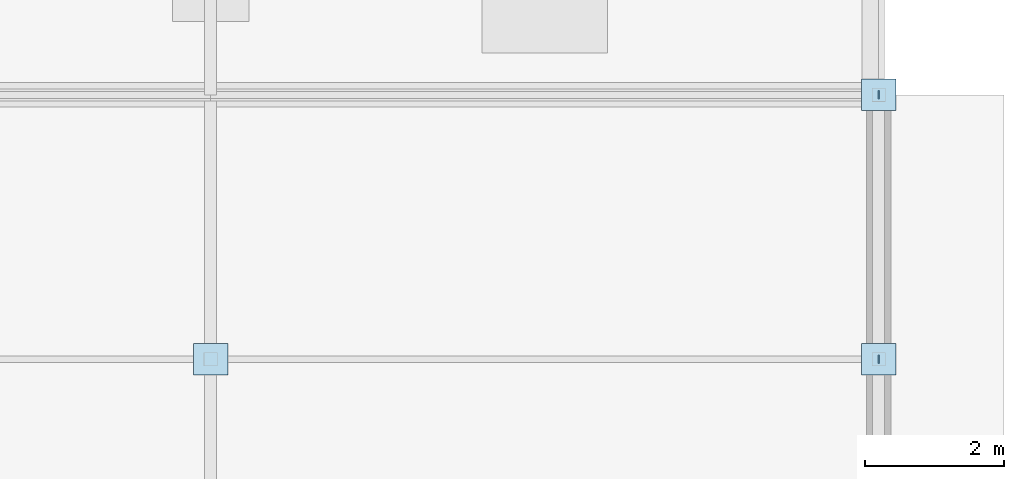
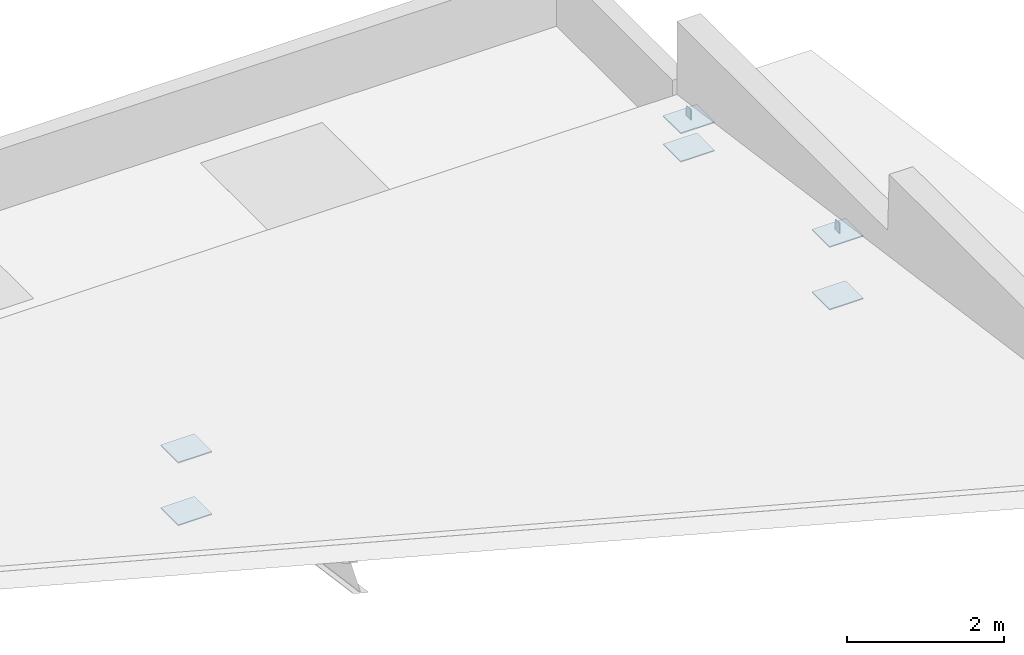
# One storey, part 58 of 70: 8 plates.
"""IFC4 building model written with IfcOpenShell, lengths in metres."""

from ifc_helpers import new_model, si_unit, direction, frame, origin, origin_2d, place, context, subcontext, project, spatial, rectangle, extrude, material, layer, layer_set, type_object, element, save


model = new_model("IFC4")

# Units and contexts
model_context = context("Model", 3, precision=1e-05, world=origin(), true_north=direction((0.0, 1.0)))
body_context = subcontext(model_context, "Body", "Model", "MODEL_VIEW")
ifc_project = project(units=[si_unit("LENGTHUNIT", "METRE"), si_unit("AREAUNIT", "SQUARE_METRE"), si_unit("VOLUMEUNIT", "CUBIC_METRE"), si_unit("PLANEANGLEUNIT", "RADIAN"), si_unit("MASSUNIT", "GRAM", prefix="KILO")], contexts=[model_context])

# Site, building, storey
site_placement = place(None, origin())
site = spatial("IfcSite", under=ifc_project, at=site_placement, CompositionType="ELEMENT")
building_placement = place(site_placement, origin())
building = spatial("IfcBuilding", under=site, at=building_placement, Name="Vondelvale Polytechnic", CompositionType="ELEMENT")
storey_placement = place(building_placement, frame((0.0, 0.0, 22.199951171875)))
storey = spatial("IfcBuildingStorey", under=building, at=storey_placement, Name="L05", CompositionType="ELEMENT", Elevation=22.199951171875)

# Plates
ifc_material = material(Name="Steel Grade 350 (fy = 340 MPa)", Category="steel")
ifc_layer_1 = layer(ifc_material, 0.011962890625)
ifc_layer_set_1 = layer_set([ifc_layer_1], Name="PLATE-CAP-C05")
plate_type_1 = type_object("IfcPlateType", Name="PLATE-CAP-C05", PredefinedType="USERDEFINED", material=ifc_layer_set_1)
for number, where, z_axis, x_axis, name in (
    (1, (172.800048828125, 20.39990234375, 0.818359375), (0.0, 0.0, 1.0), (1.0, 0.0, 0.0), "Lecture wing purlin East end cap plate 20"),
    (2, (172.800048828125, 24.199951171875, 0.28515625), (0.0, 0.0, 1.0), (1.0, 0.0, 0.0), "Lecture wing purlin East end cap plate 24"),
):
    element("IfcPlate", number, at=place(storey_placement, frame(where, z_axis=z_axis, x_axis=x_axis)), inside=storey, type_object=plate_type_1, Name=name, ObjectType="CAP_PLATE", PredefinedType="USERDEFINED", context=body_context, shape_type="SweptSolid", body=[
        extrude(rectangle(XDim=0.011962890625, YDim=0.110107421875, at=origin_2d()), origin(), (0.0, 0.0, 1.0), 0.159912109375),
    ])
ifc_layer_2 = layer(ifc_material, 0.01611328125)
ifc_layer_set_2 = layer_set([ifc_layer_2], Name="PLATE-GUSSET-16")
plate_type_2 = type_object("IfcPlateType", Name="PLATE-GUSSET-16", PredefinedType="USERDEFINED", material=ifc_layer_set_2)
for number, where, z_axis, x_axis, name in (
    (3, (163.199951171875, 20.39990234375, -0.18798828125), (0.0, 0.0, 1.0), (1.0, 0.0, 0.0), "Lecture roof post plate"),
    (4, (163.199951171875, 20.39990234375, 0.787353515625), (0.0, 0.0, 1.0), (1.0, 0.0, 0.0), "Lecture roof post plate"),
    (5, (172.800048828125, 20.39990234375, -0.18798828125), (0.0, 0.0, 1.0), (1.0, 0.0, 0.0), "Lecture roof post plate"),
    (6, (172.800048828125, 20.39990234375, 0.787353515625), (0.0, 0.0, 1.0), (1.0, 0.0, 0.0), "Lecture roof post plate"),
    (7, (172.800048828125, 24.199951171875, -0.18798828125), (0.0, 0.0, 1.0), (1.0, 0.0, 0.0), "Lecture roof post plate"),
    (8, (172.800048828125, 24.199951171875, 0.25390625), (0.0, 0.0, 1.0), (1.0, 0.0, 0.0), "Lecture roof post plate"),
):
    element("IfcPlate", number, at=place(storey_placement, frame(where, z_axis=z_axis, x_axis=x_axis)), inside=storey, type_object=plate_type_2, Name=name, ObjectType="GUSSET_PLATE", PredefinedType="USERDEFINED", context=body_context, shape_type="SweptSolid", body=[
        extrude(rectangle(XDim=0.5, YDim=0.449951171875, at=origin_2d()), origin(), (0.0, 0.0, 1.0), 0.01611328125),
    ])

save(model, "model.ifc")
